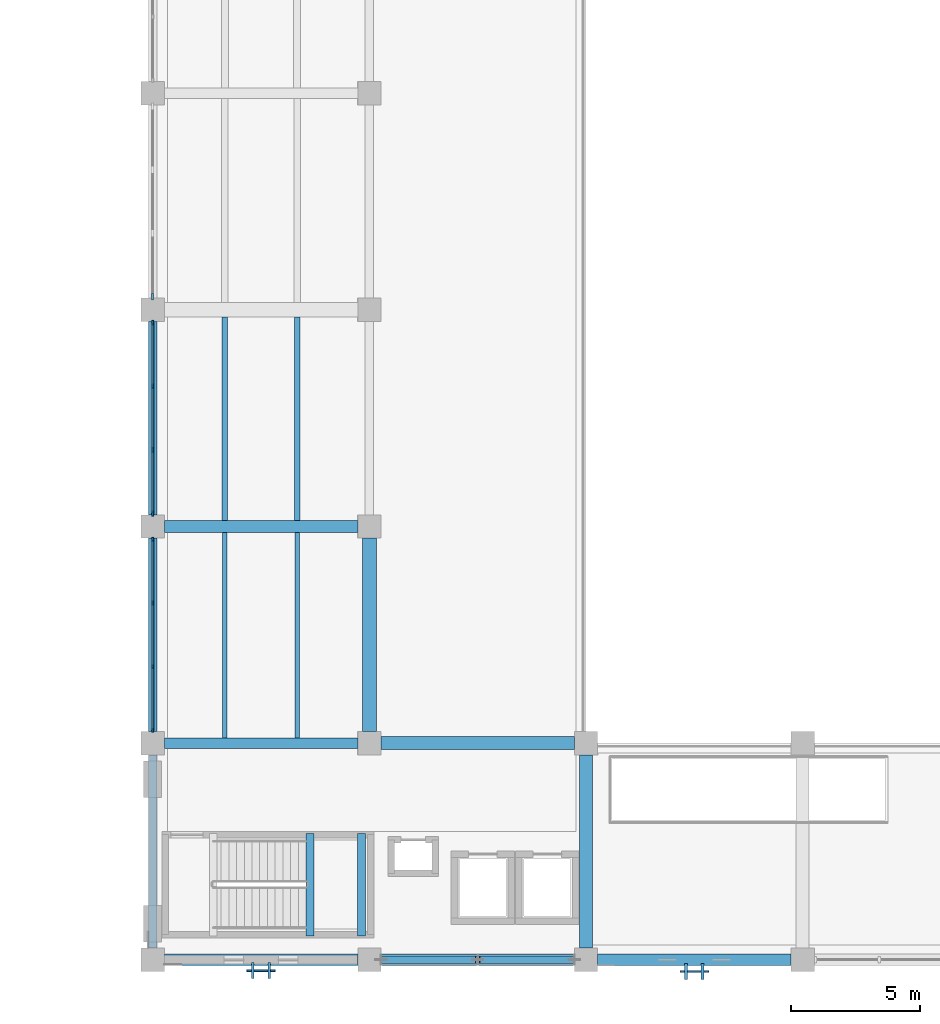
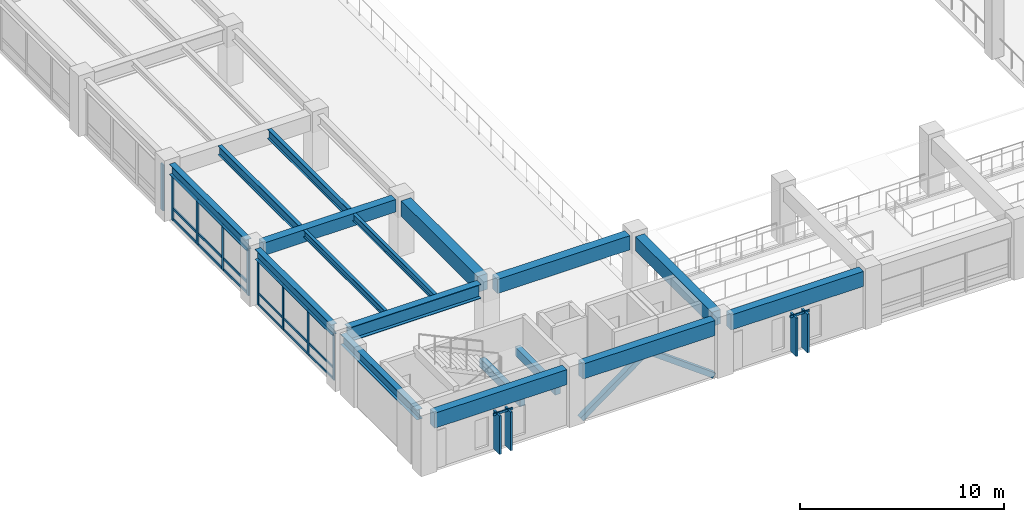
# One storey, part 13 of 118: 35 members, 17 beams, 5 elements without a shape of their own.
"""IFC4 building model written with IfcOpenShell, lengths in metres."""

from ifc_helpers import new_model, si_unit, direction, frame, origin, origin_2d, place, context, subcontext, project, spatial, rectangle, hollow_rectangle, i_section, extrude, material, material_profile, profile_set, type_object, element, aggregate, save


model = new_model("IFC4")

# Units and contexts
model_context = context("Model", 3, precision=1e-05, world=origin(), true_north=direction((0.0, 1.0)))
body_context = subcontext(model_context, "Body", "Model", "MODEL_VIEW")
ifc_project = project(units=[si_unit("LENGTHUNIT", "METRE"), si_unit("AREAUNIT", "SQUARE_METRE"), si_unit("VOLUMEUNIT", "CUBIC_METRE"), si_unit("PLANEANGLEUNIT", "RADIAN"), si_unit("MASSUNIT", "GRAM", prefix="KILO")], contexts=[model_context])

# Site, building, storey
site_placement = place(None, origin())
site = spatial("IfcSite", under=ifc_project, at=site_placement, CompositionType="ELEMENT")
building_placement = place(site_placement, origin())
building = spatial("IfcBuilding", under=site, at=building_placement, Name="Cumbredor Promenade Congress Hotel", CompositionType="ELEMENT")
storey_placement = place(building_placement, frame((0.0, 0.0, 3.919921875)))
storey = spatial("IfcBuildingStorey", under=building, at=storey_placement, Name="L01", CompositionType="ELEMENT", Elevation=3.919921875)

# Beams
ifc_material_1 = material(Name="Concrete C40/50", Category="concrete")
ifc_material_profile_1 = material_profile(ifc_material_1, rectangle(XDim=0.449951171875, YDim=0.75, at=origin_2d()), Name="RC BEAM 450x750")
ifc_profile_set_1 = profile_set([ifc_material_profile_1], Name="Concrete C40/50")
beam_type_1 = type_object("IfcBeamType", Name="BM-RC-450x750", PredefinedType="BEAM", material=ifc_profile_set_1)
beam_1_placement = place(storey_placement, frame((8.85009765625, 25.199951171875, 2.985107421875), z_axis=(1.0, 0.0, 0.0), x_axis=(0.0, 1.0, 0.0)))
element("IfcBeam", 1, at=beam_1_placement, inside=storey, type_object=beam_type_1, Name="L02 X-Grid Beam 014", PredefinedType="BEAM", context=body_context, shape_type="SweptSolid", body=[
    extrude(rectangle(XDim=0.449951171875, YDim=0.75, at=origin_2d()), origin(), (0.0, 0.0, 1.0), 7.5),
])
ifc_material_profile_2 = material_profile(ifc_material_1, rectangle(XDim=0.5, YDim=0.85009765625, at=origin_2d()), Name="RC BEAM 500x850")
ifc_profile_set_2 = profile_set([ifc_material_profile_2], Name="Concrete C40/50")
beam_type_2 = type_object("IfcBeamType", Name="BM-RC-500x850", PredefinedType="BEAM", material=ifc_profile_set_2)
for number, where, z_axis, x_axis, name in (
    (2, (17.25, 16.800048828125, 2.93505859375), (1.0, 0.0, 0.0), (0.0, 1.0, 0.0), "L02 X-Grid Beam 035"),
    (3, (25.199951171875, 8.85009765625, 2.93505859375), (0.0, 1.0, 0.0), (-1.0, 0.0, 0.0), "L02 Y-Grid Beam 051"),
):
    element("IfcBeam", number, at=place(storey_placement, frame(where, z_axis=z_axis, x_axis=x_axis)), inside=storey, type_object=beam_type_2, Name=name, PredefinedType="BEAM", context=body_context, shape_type="SweptSolid", body=[
        extrude(rectangle(XDim=0.5, YDim=0.85009765625, at=origin_2d()), origin(), (0.0, 0.0, 1.0), 7.5),
    ])
ifc_material_profile_3 = material_profile(ifc_material_1, rectangle(XDim=0.550048828125, YDim=0.949951171875, at=origin_2d()), Name="RC BEAM 550x950")
ifc_profile_set_3 = profile_set([ifc_material_profile_3], Name="Concrete C40/50")
beam_type_3 = type_object("IfcBeamType", Name="BM-RC-550x950", PredefinedType="BEAM", material=ifc_profile_set_3)
beam_2_placement = place(storey_placement, frame((16.800048828125, 17.25, 2.885009765625), z_axis=(0.0, 1.0, 0.0), x_axis=(-1.0, 0.0, 0.0)))
element("IfcBeam", 4, at=beam_2_placement, inside=storey, type_object=beam_type_3, Name="L02 Y-Grid Beam 036", PredefinedType="BEAM", context=body_context, shape_type="SweptSolid", body=[
    extrude(rectangle(XDim=0.550048828125, YDim=0.949951171875, at=origin_2d()), origin(), (0.0, 0.0, 1.0), 7.5),
])
ifc_material_2 = material(Name="Steel ASTM A992 Grade 50", Category="steel")
ifc_material_profile_4 = material_profile(ifc_material_2, i_section(OverallWidth=0.39990234375, OverallDepth=0.85498046875, WebThickness=0.018310546875, FlangeThickness=0.029296875, at=origin_2d()), Name="W33X201")
ifc_profile_set_4 = profile_set([ifc_material_profile_4], Name="Steel ASTM A992 Grade 50")
beam_type_4 = type_object("IfcBeamType", Name="BM-W33X201", PredefinedType="BEAM", material=ifc_profile_set_4)
beam_3_placement = place(storey_placement, frame((8.85009765625, 16.800048828125, 2.9326171875), z_axis=(1.0, 0.0, 0.0), x_axis=(0.0, 1.0, 0.0)))
element("IfcBeam", 5, at=beam_3_placement, inside=storey, type_object=beam_type_4, Name="L02 X-Grid Beam 012", PredefinedType="BEAM", context=body_context, shape_type="SweptSolid", body=[
    extrude(i_section(OverallWidth=0.39990234375, OverallDepth=0.85498046875, WebThickness=0.018310546875, FlangeThickness=0.029296875, at=origin_2d()), origin(), (0.0, 0.0, 1.0), 7.5),
])

# Curtain wall, members
ifc_material_3 = material(Name="Thermally broken anodized aluminium and low-E glass", Category="aluminium")
curtain_wall_type_1 = type_object("IfcCurtainWallType", Name="Unitised Bronze Curtain Wall CW-01", PredefinedType="NOTDEFINED", material=ifc_material_3)
curtain_wall_1_placement = place(storey_placement, origin())
curtain_wall_1 = element("IfcCurtainWall", 6, at=curtain_wall_1_placement, inside=storey, type_object=curtain_wall_type_1, Name="L01 Plenary Congress Hall West Curtain Wall 2", PredefinedType="NOTDEFINED")
ifc_material_4 = material(Name="Thermally broken anodized aluminium", Category="aluminium")
ifc_material_profile_5 = material_profile(ifc_material_4, rectangle(XDim=0.06494140625, YDim=0.159912109375, at=origin_2d()), Name="ALU MULLION 65x160")
ifc_profile_set_5 = profile_set([ifc_material_profile_5], Name="Thermally broken anodized aluminium")
member_type_1 = type_object("IfcMemberType", Name="Curtain Wall Mullion ML-01", PredefinedType="MULLION", material=ifc_profile_set_5)
member_1_placement = place(storey_placement, frame((8.39990234375, 17.304931640625, -0.0078125), z_axis=(0.0, 0.0, 1.0), x_axis=(1.0, 0.0, 0.0)))
member_1 = element("IfcMember", 7, at=member_1_placement, type_object=member_type_1, Name="L01 Plenary Congress Hall West Curtain Wall 2 Mullion 1", PredefinedType="MULLION", context=body_context, shape_type="SweptSolid", body=[
    extrude(rectangle(XDim=0.06494140625, YDim=0.159912109375, at=origin_2d()), origin(), (0.0, 0.0, 1.0), 2.75),
])
member_2_placement = place(storey_placement, frame((8.39990234375, 19.768310546875, -0.0078125), z_axis=(0.0, 0.0, 1.0), x_axis=(1.0, 0.0, 0.0)))
member_2 = element("IfcMember", 8, at=member_2_placement, type_object=member_type_1, Name="L01 Plenary Congress Hall West Curtain Wall 2 Mullion 2", PredefinedType="MULLION", context=body_context, shape_type="SweptSolid", body=[
    extrude(rectangle(XDim=0.06494140625, YDim=0.159912109375, at=origin_2d()), origin(), (0.0, 0.0, 1.0), 2.75),
])
member_3_placement = place(storey_placement, frame((8.39990234375, 22.231689453125, -0.0078125), z_axis=(0.0, 0.0, 1.0), x_axis=(1.0, 0.0, 0.0)))
member_3 = element("IfcMember", 9, at=member_3_placement, type_object=member_type_1, Name="L01 Plenary Congress Hall West Curtain Wall 2 Mullion 3", PredefinedType="MULLION", context=body_context, shape_type="SweptSolid", body=[
    extrude(rectangle(XDim=0.06494140625, YDim=0.159912109375, at=origin_2d()), origin(), (0.0, 0.0, 1.0), 2.75),
])
member_4_placement = place(storey_placement, frame((8.39990234375, 24.695068359375, -0.0078125), z_axis=(0.0, 0.0, 1.0), x_axis=(1.0, 0.0, 0.0)))
member_4 = element("IfcMember", 10, at=member_4_placement, type_object=member_type_1, Name="L01 Plenary Congress Hall West Curtain Wall 2 Mullion 4", PredefinedType="MULLION", context=body_context, shape_type="SweptSolid", body=[
    extrude(rectangle(XDim=0.06494140625, YDim=0.159912109375, at=origin_2d()), origin(), (0.0, 0.0, 1.0), 2.75),
])

curtain_wall_2_placement = place(storey_placement, origin())
curtain_wall_2 = element("IfcCurtainWall", 11, at=curtain_wall_2_placement, inside=storey, type_object=curtain_wall_type_1, Name="L01 Plenary Congress Hall West Curtain Wall 3", PredefinedType="NOTDEFINED")
ifc_material_profile_6 = material_profile(ifc_material_4, rectangle(XDim=0.074951171875, YDim=0.199951171875, at=origin_2d()), Name="ALU MULLION 75x200")
ifc_profile_set_6 = profile_set([ifc_material_profile_6], Name="Thermally broken anodized aluminium")
member_type_2 = type_object("IfcMemberType", Name="Curtain Wall Mullion ML-02", PredefinedType="MULLION", material=ifc_profile_set_6)
member_5_placement = place(storey_placement, frame((8.39990234375, 25.705078125, -0.0078125), z_axis=(0.0, 0.0, 1.0), x_axis=(1.0, 0.0, 0.0)))
member_5 = element("IfcMember", 12, at=member_5_placement, type_object=member_type_2, Name="L01 Plenary Congress Hall West Curtain Wall 3 Mullion 1", PredefinedType="MULLION", context=body_context, shape_type="SweptSolid", body=[
    extrude(rectangle(XDim=0.074951171875, YDim=0.199951171875, at=origin_2d()), origin(), (0.0, 0.0, 1.0), 2.75),
])
member_6_placement = place(storey_placement, frame((8.39990234375, 28.168212890625, -0.0078125), z_axis=(0.0, 0.0, 1.0), x_axis=(1.0, 0.0, 0.0)))
member_6 = element("IfcMember", 13, at=member_6_placement, type_object=member_type_2, Name="L01 Plenary Congress Hall West Curtain Wall 3 Mullion 2", PredefinedType="MULLION", context=body_context, shape_type="SweptSolid", body=[
    extrude(rectangle(XDim=0.074951171875, YDim=0.199951171875, at=origin_2d()), origin(), (0.0, 0.0, 1.0), 2.75),
])
member_7_placement = place(storey_placement, frame((8.39990234375, 30.631591796875, -0.0078125), z_axis=(0.0, 0.0, 1.0), x_axis=(1.0, 0.0, 0.0)))
member_7 = element("IfcMember", 14, at=member_7_placement, type_object=member_type_2, Name="L01 Plenary Congress Hall West Curtain Wall 3 Mullion 3", PredefinedType="MULLION", context=body_context, shape_type="SweptSolid", body=[
    extrude(rectangle(XDim=0.074951171875, YDim=0.199951171875, at=origin_2d()), origin(), (0.0, 0.0, 1.0), 2.75),
])
member_8_placement = place(storey_placement, frame((8.39990234375, 33.094970703125, -0.0078125), z_axis=(0.0, 0.0, 1.0), x_axis=(1.0, 0.0, 0.0)))
member_8 = element("IfcMember", 15, at=member_8_placement, type_object=member_type_2, Name="L01 Plenary Congress Hall West Curtain Wall 3 Mullion 4", PredefinedType="MULLION", context=body_context, shape_type="SweptSolid", body=[
    extrude(rectangle(XDim=0.074951171875, YDim=0.199951171875, at=origin_2d()), origin(), (0.0, 0.0, 1.0), 2.75),
])

# Curtain wall, member
curtain_wall_3_placement = place(storey_placement, origin())
curtain_wall_3 = element("IfcCurtainWall", 16, at=curtain_wall_3_placement, inside=storey, type_object=curtain_wall_type_1, Name="L01 Plenary Congress Hall West Curtain Wall 4", PredefinedType="NOTDEFINED")
ifc_material_profile_7 = material_profile(ifc_material_4, rectangle(XDim=0.080078125, YDim=0.239990234375, at=origin_2d()), Name="ALU MULLION 80x240")
ifc_profile_set_7 = profile_set([ifc_material_profile_7], Name="Thermally broken anodized aluminium")
member_type_3 = type_object("IfcMemberType", Name="Curtain Wall Mullion ML-03", PredefinedType="MULLION", material=ifc_profile_set_7)
member_9_placement = place(storey_placement, frame((8.39990234375, 34.10498046875, -0.0078125), z_axis=(0.0, 0.0, 1.0), x_axis=(1.0, 0.0, 0.0)))
member_9 = element("IfcMember", 17, at=member_9_placement, type_object=member_type_3, Name="L01 Plenary Congress Hall West Curtain Wall 4 Mullion 1", PredefinedType="MULLION", context=body_context, shape_type="SweptSolid", body=[
    extrude(rectangle(XDim=0.080078125, YDim=0.239990234375, at=origin_2d()), origin(), (0.0, 0.0, 1.0), 2.75),
])
aggregate(curtain_wall_3, [member_9])

curtain_wall_type_2 = type_object("IfcCurtainWallType", Name="Solar Brise-Soleil Screen Assembly CW-07", PredefinedType="NOTDEFINED", material=ifc_material_3)
curtain_wall_4_placement = place(storey_placement, origin())
curtain_wall_4 = element("IfcCurtainWall", 18, at=curtain_wall_4_placement, inside=storey, type_object=curtain_wall_type_2, Name="L01 Pier Brise-Soleil Screen 0142", PredefinedType="NOTDEFINED")
ifc_material_profile_8 = material_profile(ifc_material_4, rectangle(XDim=0.06494140625, YDim=0.1298828125, at=origin_2d()), Name="ALU TRANSOM 65x130")
ifc_profile_set_8 = profile_set([ifc_material_profile_8], Name="Thermally broken anodized aluminium")
member_type_4 = type_object("IfcMemberType", Name="Curtain Wall Transom TR-01", PredefinedType="USERDEFINED", material=ifc_profile_set_8)
member_10_placement = place(storey_placement, frame((12.050048828125, 7.9775390625, 2.28515625), z_axis=(1.0, 0.0, 0.0), x_axis=(0.0, 1.0, 0.0)))
member_10 = element("IfcMember", 19, at=member_10_placement, type_object=member_type_4, Name="L01 Pier Brise-Soleil Header 0144", ObjectType="TRANSOM", PredefinedType="USERDEFINED", context=body_context, shape_type="SweptSolid", body=[
    extrude(rectangle(XDim=0.06494140625, YDim=0.1298828125, at=origin_2d()), origin(), (0.0, 0.0, 1.0), 1.099853515625),
])

curtain_wall_5_placement = place(storey_placement, origin())
curtain_wall_5 = element("IfcCurtainWall", 20, at=curtain_wall_5_placement, inside=storey, type_object=curtain_wall_type_2, Name="L01 Pier Brise-Soleil Screen 0145", PredefinedType="NOTDEFINED")
member_11_placement = place(storey_placement, frame((28.85009765625, 7.949951171875, 2.28515625), z_axis=(1.0, 0.0, 0.0), x_axis=(0.0, 1.0, 0.0)))
member_11 = element("IfcMember", 21, at=member_11_placement, type_object=member_type_4, Name="L01 Pier Brise-Soleil Header 0147", ObjectType="TRANSOM", PredefinedType="USERDEFINED", context=body_context, shape_type="SweptSolid", body=[
    extrude(rectangle(XDim=0.06494140625, YDim=0.1298828125, at=origin_2d()), origin(), (0.0, 0.0, 1.0), 1.099853515625),
])

# Member
member_12_placement = place(storey_placement, frame((8.39990234375, 17.33740234375, 0.06005859375), z_axis=(0.0, 1.0, 0.0), x_axis=(-1.0, 0.0, 0.0)))
member_12 = element("IfcMember", 22, at=member_12_placement, type_object=member_type_4, Name="L01 Plenary Congress Hall West Curtain Wall 2 Transom 1.1", ObjectType="TRANSOM", PredefinedType="USERDEFINED", context=body_context, shape_type="SweptSolid", body=[
    extrude(rectangle(XDim=0.06494140625, YDim=0.1298828125, at=origin_2d()), origin(), (0.0, 0.0, 1.0), 2.3984375),
])

member_13_placement = place(storey_placement, frame((8.39990234375, 17.33740234375, 0.719970703125), z_axis=(0.0, 1.0, 0.0), x_axis=(-1.0, 0.0, 0.0)))
member_13 = element("IfcMember", 23, at=member_13_placement, type_object=member_type_4, Name="L01 Plenary Congress Hall West Curtain Wall 2 Transom 1.2", ObjectType="TRANSOM", PredefinedType="USERDEFINED", context=body_context, shape_type="SweptSolid", body=[
    extrude(rectangle(XDim=0.06494140625, YDim=0.1298828125, at=origin_2d()), origin(), (0.0, 0.0, 1.0), 2.3984375),
])

member_14_placement = place(storey_placement, frame((8.39990234375, 17.33740234375, 2.670166015625), z_axis=(0.0, 1.0, 0.0), x_axis=(-1.0, 0.0, 0.0)))
member_14 = element("IfcMember", 24, at=member_14_placement, type_object=member_type_4, Name="L01 Plenary Congress Hall West Curtain Wall 2 Transom 1.3", ObjectType="TRANSOM", PredefinedType="USERDEFINED", context=body_context, shape_type="SweptSolid", body=[
    extrude(rectangle(XDim=0.06494140625, YDim=0.1298828125, at=origin_2d()), origin(), (0.0, 0.0, 1.0), 2.3984375),
])

member_15_placement = place(storey_placement, frame((8.39990234375, 19.80078125, 0.06005859375), z_axis=(0.0, 1.0, 0.0), x_axis=(-1.0, 0.0, 0.0)))
member_15 = element("IfcMember", 25, at=member_15_placement, type_object=member_type_4, Name="L01 Plenary Congress Hall West Curtain Wall 2 Transom 2.1", ObjectType="TRANSOM", PredefinedType="USERDEFINED", context=body_context, shape_type="SweptSolid", body=[
    extrude(rectangle(XDim=0.06494140625, YDim=0.1298828125, at=origin_2d()), origin(), (0.0, 0.0, 1.0), 2.3984375),
])

member_16_placement = place(storey_placement, frame((8.39990234375, 19.80078125, 0.719970703125), z_axis=(0.0, 1.0, 0.0), x_axis=(-1.0, 0.0, 0.0)))
member_16 = element("IfcMember", 26, at=member_16_placement, type_object=member_type_4, Name="L01 Plenary Congress Hall West Curtain Wall 2 Transom 2.2", ObjectType="TRANSOM", PredefinedType="USERDEFINED", context=body_context, shape_type="SweptSolid", body=[
    extrude(rectangle(XDim=0.06494140625, YDim=0.1298828125, at=origin_2d()), origin(), (0.0, 0.0, 1.0), 2.3984375),
])

member_17_placement = place(storey_placement, frame((8.39990234375, 19.80078125, 2.670166015625), z_axis=(0.0, 1.0, 0.0), x_axis=(-1.0, 0.0, 0.0)))
member_17 = element("IfcMember", 27, at=member_17_placement, type_object=member_type_4, Name="L01 Plenary Congress Hall West Curtain Wall 2 Transom 2.3", ObjectType="TRANSOM", PredefinedType="USERDEFINED", context=body_context, shape_type="SweptSolid", body=[
    extrude(rectangle(XDim=0.06494140625, YDim=0.1298828125, at=origin_2d()), origin(), (0.0, 0.0, 1.0), 2.3984375),
])

member_18_placement = place(storey_placement, frame((8.39990234375, 22.26416015625, 0.06005859375), z_axis=(0.0, 1.0, 0.0), x_axis=(-1.0, 0.0, 0.0)))
member_18 = element("IfcMember", 28, at=member_18_placement, type_object=member_type_4, Name="L01 Plenary Congress Hall West Curtain Wall 2 Transom 3.1", ObjectType="TRANSOM", PredefinedType="USERDEFINED", context=body_context, shape_type="SweptSolid", body=[
    extrude(rectangle(XDim=0.06494140625, YDim=0.1298828125, at=origin_2d()), origin(), (0.0, 0.0, 1.0), 2.3984375),
])

member_19_placement = place(storey_placement, frame((8.39990234375, 22.26416015625, 0.719970703125), z_axis=(0.0, 1.0, 0.0), x_axis=(-1.0, 0.0, 0.0)))
member_19 = element("IfcMember", 29, at=member_19_placement, type_object=member_type_4, Name="L01 Plenary Congress Hall West Curtain Wall 2 Transom 3.2", ObjectType="TRANSOM", PredefinedType="USERDEFINED", context=body_context, shape_type="SweptSolid", body=[
    extrude(rectangle(XDim=0.06494140625, YDim=0.1298828125, at=origin_2d()), origin(), (0.0, 0.0, 1.0), 2.3984375),
])

member_20_placement = place(storey_placement, frame((8.39990234375, 22.26416015625, 2.670166015625), z_axis=(0.0, 1.0, 0.0), x_axis=(-1.0, 0.0, 0.0)))
member_20 = element("IfcMember", 30, at=member_20_placement, type_object=member_type_4, Name="L01 Plenary Congress Hall West Curtain Wall 2 Transom 3.3", ObjectType="TRANSOM", PredefinedType="USERDEFINED", context=body_context, shape_type="SweptSolid", body=[
    extrude(rectangle(XDim=0.06494140625, YDim=0.1298828125, at=origin_2d()), origin(), (0.0, 0.0, 1.0), 2.3984375),
])

aggregate(curtain_wall_1, [member_1, member_2, member_3, member_4, member_12, member_13, member_14, member_15, member_16, member_17, member_18, member_19, member_20])

ifc_material_profile_9 = material_profile(ifc_material_4, rectangle(XDim=0.074951171875, YDim=0.14990234375, at=origin_2d()), Name="ALU TRANSOM 75x150")
ifc_profile_set_9 = profile_set([ifc_material_profile_9], Name="Thermally broken anodized aluminium")
member_type_5 = type_object("IfcMemberType", Name="Curtain Wall Transom TR-02", PredefinedType="USERDEFINED", material=ifc_profile_set_9)
member_21_placement = place(storey_placement, frame((8.39990234375, 25.742431640625, 0.080078125), z_axis=(0.0, 1.0, 0.0), x_axis=(-1.0, 0.0, 0.0)))
member_21 = element("IfcMember", 31, at=member_21_placement, type_object=member_type_5, Name="L01 Plenary Congress Hall West Curtain Wall 3 Transom 1.1", ObjectType="TRANSOM", PredefinedType="USERDEFINED", context=body_context, shape_type="SweptSolid", body=[
    extrude(rectangle(XDim=0.074951171875, YDim=0.14990234375, at=origin_2d()), origin(), (0.0, 0.0, 1.0), 2.388427734375),
])

member_22_placement = place(storey_placement, frame((8.39990234375, 25.742431640625, 0.719970703125), z_axis=(0.0, 1.0, 0.0), x_axis=(-1.0, 0.0, 0.0)))
member_22 = element("IfcMember", 32, at=member_22_placement, type_object=member_type_5, Name="L01 Plenary Congress Hall West Curtain Wall 3 Transom 1.2", ObjectType="TRANSOM", PredefinedType="USERDEFINED", context=body_context, shape_type="SweptSolid", body=[
    extrude(rectangle(XDim=0.074951171875, YDim=0.14990234375, at=origin_2d()), origin(), (0.0, 0.0, 1.0), 2.388427734375),
])

member_23_placement = place(storey_placement, frame((8.39990234375, 25.742431640625, 2.66015625), z_axis=(0.0, 1.0, 0.0), x_axis=(-1.0, 0.0, 0.0)))
member_23 = element("IfcMember", 33, at=member_23_placement, type_object=member_type_5, Name="L01 Plenary Congress Hall West Curtain Wall 3 Transom 1.3", ObjectType="TRANSOM", PredefinedType="USERDEFINED", context=body_context, shape_type="SweptSolid", body=[
    extrude(rectangle(XDim=0.074951171875, YDim=0.14990234375, at=origin_2d()), origin(), (0.0, 0.0, 1.0), 2.388427734375),
])

member_24_placement = place(storey_placement, frame((8.39990234375, 28.205810546875, 0.080078125), z_axis=(0.0, 1.0, 0.0), x_axis=(-1.0, 0.0, 0.0)))
member_24 = element("IfcMember", 34, at=member_24_placement, type_object=member_type_5, Name="L01 Plenary Congress Hall West Curtain Wall 3 Transom 2.1", ObjectType="TRANSOM", PredefinedType="USERDEFINED", context=body_context, shape_type="SweptSolid", body=[
    extrude(rectangle(XDim=0.074951171875, YDim=0.14990234375, at=origin_2d()), origin(), (0.0, 0.0, 1.0), 2.388427734375),
])

member_25_placement = place(storey_placement, frame((8.39990234375, 28.205810546875, 0.719970703125), z_axis=(0.0, 1.0, 0.0), x_axis=(-1.0, 0.0, 0.0)))
member_25 = element("IfcMember", 35, at=member_25_placement, type_object=member_type_5, Name="L01 Plenary Congress Hall West Curtain Wall 3 Transom 2.2", ObjectType="TRANSOM", PredefinedType="USERDEFINED", context=body_context, shape_type="SweptSolid", body=[
    extrude(rectangle(XDim=0.074951171875, YDim=0.14990234375, at=origin_2d()), origin(), (0.0, 0.0, 1.0), 2.388427734375),
])

member_26_placement = place(storey_placement, frame((8.39990234375, 28.205810546875, 2.66015625), z_axis=(0.0, 1.0, 0.0), x_axis=(-1.0, 0.0, 0.0)))
member_26 = element("IfcMember", 36, at=member_26_placement, type_object=member_type_5, Name="L01 Plenary Congress Hall West Curtain Wall 3 Transom 2.3", ObjectType="TRANSOM", PredefinedType="USERDEFINED", context=body_context, shape_type="SweptSolid", body=[
    extrude(rectangle(XDim=0.074951171875, YDim=0.14990234375, at=origin_2d()), origin(), (0.0, 0.0, 1.0), 2.388427734375),
])

member_27_placement = place(storey_placement, frame((8.39990234375, 30.669189453125, 0.080078125), z_axis=(0.0, 1.0, 0.0), x_axis=(-1.0, 0.0, 0.0)))
member_27 = element("IfcMember", 37, at=member_27_placement, type_object=member_type_5, Name="L01 Plenary Congress Hall West Curtain Wall 3 Transom 3.1", ObjectType="TRANSOM", PredefinedType="USERDEFINED", context=body_context, shape_type="SweptSolid", body=[
    extrude(rectangle(XDim=0.074951171875, YDim=0.14990234375, at=origin_2d()), origin(), (0.0, 0.0, 1.0), 2.388427734375),
])

member_28_placement = place(storey_placement, frame((8.39990234375, 30.669189453125, 0.719970703125), z_axis=(0.0, 1.0, 0.0), x_axis=(-1.0, 0.0, 0.0)))
member_28 = element("IfcMember", 38, at=member_28_placement, type_object=member_type_5, Name="L01 Plenary Congress Hall West Curtain Wall 3 Transom 3.2", ObjectType="TRANSOM", PredefinedType="USERDEFINED", context=body_context, shape_type="SweptSolid", body=[
    extrude(rectangle(XDim=0.074951171875, YDim=0.14990234375, at=origin_2d()), origin(), (0.0, 0.0, 1.0), 2.388427734375),
])

member_29_placement = place(storey_placement, frame((8.39990234375, 30.669189453125, 2.66015625), z_axis=(0.0, 1.0, 0.0), x_axis=(-1.0, 0.0, 0.0)))
member_29 = element("IfcMember", 39, at=member_29_placement, type_object=member_type_5, Name="L01 Plenary Congress Hall West Curtain Wall 3 Transom 3.3", ObjectType="TRANSOM", PredefinedType="USERDEFINED", context=body_context, shape_type="SweptSolid", body=[
    extrude(rectangle(XDim=0.074951171875, YDim=0.14990234375, at=origin_2d()), origin(), (0.0, 0.0, 1.0), 2.388427734375),
])

aggregate(curtain_wall_2, [member_5, member_6, member_7, member_8, member_21, member_22, member_23, member_24, member_25, member_26, member_27, member_28, member_29])

# Beams
ifc_material_profile_10 = material_profile(ifc_material_2, i_section(OverallWidth=0.180908203125, OverallDepth=0.4169921875, WebThickness=0.010986328125, FlangeThickness=0.018310546875, at=origin_2d()), Name="W16X57")
ifc_profile_set_10 = profile_set([ifc_material_profile_10], Name="Steel ASTM A992 Grade 50")
beam_type_5 = type_object("IfcBeamType", Name="JST-W16X57", PredefinedType="JOIST", material=ifc_profile_set_10)
for number, where, z_axis, x_axis, name in (
    (40, (11.199951171875, 17.0, 3.151611328125), (0.0, 1.0, 0.0), (-1.0, 0.0, 0.0), "L02 Secondary Floor Joist 0009"),
    (41, (14.0, 17.0, 3.151611328125), (0.0, 1.0, 0.0), (-1.0, 0.0, 0.0), "L02 Secondary Floor Joist 0010"),
):
    element("IfcBeam", number, at=place(storey_placement, frame(where, z_axis=z_axis, x_axis=x_axis)), inside=storey, type_object=beam_type_5, Name=name, PredefinedType="JOIST", context=body_context, shape_type="SweptSolid", body=[
        extrude(i_section(OverallWidth=0.180908203125, OverallDepth=0.4169921875, WebThickness=0.010986328125, FlangeThickness=0.018310546875, at=origin_2d()), origin(), (0.0, 0.0, 1.0), 7.97509765625),
    ])
ifc_material_profile_11 = material_profile(ifc_material_2, i_section(OverallWidth=0.214111328125, OverallDepth=0.549072265625, WebThickness=0.0146484375, FlangeThickness=0.023681640625, at=origin_2d()), Name="W21X93")
ifc_profile_set_11 = profile_set([ifc_material_profile_11], Name="Steel ASTM A992 Grade 50")
beam_type_6 = type_object("IfcBeamType", Name="JST-W21X93", PredefinedType="JOIST", material=ifc_profile_set_11)
for number, where, z_axis, x_axis, name in (
    (42, (11.199951171875, 25.425048828125, 3.085693359375), (0.0, 1.0, 0.0), (-1.0, 0.0, 0.0), "L02 Secondary Floor Joist 0011"),
    (43, (14.0, 25.425048828125, 3.085693359375), (0.0, 1.0, 0.0), (-1.0, 0.0, 0.0), "L02 Secondary Floor Joist 0012"),
):
    element("IfcBeam", number, at=place(storey_placement, frame(where, z_axis=z_axis, x_axis=x_axis)), inside=storey, type_object=beam_type_6, Name=name, PredefinedType="JOIST", context=body_context, shape_type="SweptSolid", body=[
        extrude(i_section(OverallWidth=0.214111328125, OverallDepth=0.549072265625, WebThickness=0.0146484375, FlangeThickness=0.023681640625, at=origin_2d()), origin(), (0.0, 0.0, 1.0), 7.89990234375),
    ])
ifc_material_profile_12 = material_profile(ifc_material_1, rectangle(XDim=0.300048828125, YDim=0.5, at=origin_2d()), Name="RC LINTEL 300x500")
ifc_profile_set_12 = profile_set([ifc_material_profile_12], Name="Concrete C40/50")
beam_type_7 = type_object("IfcBeamType", Name="LN-RC-300x500", PredefinedType="LINTEL", material=ifc_profile_set_12)
for number, where, z_axis, x_axis, name in (
    (44, (16.5, 9.330078125, 1.3701171875), (0.0, 1.0, 0.0), (-1.0, 0.0, 0.0), "L01 Stair ST-04 Landing Ledger Beam E"),
    (45, (14.5, 9.330078125, 1.3701171875), (0.0, 1.0, 0.0), (-1.0, 0.0, 0.0), "L01 Stair ST-04 Landing Ledger Beam W"),
):
    element("IfcBeam", number, at=place(storey_placement, frame(where, z_axis=z_axis, x_axis=x_axis)), inside=storey, type_object=beam_type_7, Name=name, PredefinedType="LINTEL", context=body_context, shape_type="SweptSolid", body=[
        extrude(rectangle(XDim=0.300048828125, YDim=0.5, at=origin_2d()), origin(), (0.0, 0.0, 1.0), 3.969970703125),
    ])
ifc_material_profile_13 = material_profile(ifc_material_1, rectangle(XDim=0.449951171875, YDim=0.89990234375, at=origin_2d()), Name="RC SPANDREL 450x900")
ifc_profile_set_13 = profile_set([ifc_material_profile_13], Name="Concrete C40/50")
beam_type_8 = type_object("IfcBeamType", Name="SP-RC-450x900", PredefinedType="SPANDREL", material=ifc_profile_set_13)
for number, where, z_axis, x_axis, name in (
    (46, (8.85009765625, 8.39990234375, 2.91015625), (1.0, 0.0, 0.0), (0.0, 1.0, 0.0), "L02 X-Grid Beam 010"),
    (47, (17.25, 8.39990234375, 2.91015625), (1.0, 0.0, 0.0), (0.0, 1.0, 0.0), "L02 X-Grid Beam 034"),
    (48, (25.64990234375, 8.39990234375, 2.91015625), (1.0, 0.0, 0.0), (0.0, 1.0, 0.0), "L02 X-Grid Beam 050"),
):
    element("IfcBeam", number, at=place(storey_placement, frame(where, z_axis=z_axis, x_axis=x_axis)), inside=storey, type_object=beam_type_8, Name=name, PredefinedType="SPANDREL", context=body_context, shape_type="SweptSolid", body=[
        extrude(rectangle(XDim=0.449951171875, YDim=0.89990234375, at=origin_2d()), origin(), (0.0, 0.0, 1.0), 7.5),
    ])
ifc_material_profile_14 = material_profile(ifc_material_2, i_section(OverallWidth=0.323974609375, OverallDepth=0.611083984375, WebThickness=0.0126953125, FlangeThickness=0.01904296875, at=origin_2d()), Name="W24X104")
ifc_profile_set_14 = profile_set([ifc_material_profile_14], Name="Steel ASTM A992 Grade 50")
beam_type_9 = type_object("IfcBeamType", Name="SP-W24X104", PredefinedType="SPANDREL", material=ifc_profile_set_14)
for number, where, z_axis, x_axis, name in (
    (49, (8.39990234375, 8.85009765625, 3.0546875), (0.0, 1.0, 0.0), (-1.0, 0.0, 0.0), "L02 Y-Grid Beam 011"),
    (50, (8.39990234375, 17.25, 3.0546875), (0.0, 1.0, 0.0), (-1.0, 0.0, 0.0), "L02 Y-Grid Beam 013"),
    (51, (8.39990234375, 25.64990234375, 3.0546875), (0.0, 1.0, 0.0), (-1.0, 0.0, 0.0), "L02 Y-Grid Beam 015"),
):
    element("IfcBeam", number, at=place(storey_placement, frame(where, z_axis=z_axis, x_axis=x_axis)), inside=storey, type_object=beam_type_9, Name=name, PredefinedType="SPANDREL", context=body_context, shape_type="SweptSolid", body=[
        extrude(i_section(OverallWidth=0.323974609375, OverallDepth=0.611083984375, WebThickness=0.0126953125, FlangeThickness=0.01904296875, at=origin_2d()), origin(), (0.0, 0.0, 1.0), 7.5),
    ])

# Members
ifc_material_5 = material(Name="Steel ASTM A500 Grade C", Category="steel")
ifc_material_profile_15 = material_profile(ifc_material_5, hollow_rectangle(XDim=0.300048828125, YDim=0.300048828125, WallThickness=0.01611328125, at=origin_2d()), Name="HSS 300x300x16")
ifc_profile_set_15 = profile_set([ifc_material_profile_15], Name="Steel ASTM A500 Grade C")
member_type_6 = type_object("IfcMemberType", Name="Seismic Frame Brace CBF-1", PredefinedType="BRACE", material=ifc_profile_set_15)
for number, where, z_axis, x_axis, name in (
    (52, (17.25, 8.39990234375, 0.0), (0.806404995856, 0.0, 0.591363663628), (0.0, 1.0, 0.0), "L01 Chevron Seismic Brace 13A"),
    (53, (24.75, 8.39990234375, 0.0), (-0.806404995856, 0.0, 0.591363663628), (0.0, -1.0, 0.0), "L01 Chevron Seismic Brace 13B"),
):
    element("IfcMember", number, at=place(storey_placement, frame(where, z_axis=z_axis, x_axis=x_axis)), inside=storey, type_object=member_type_6, Name=name, PredefinedType="BRACE", context=body_context, shape_type="SweptSolid", body=[
        extrude(hollow_rectangle(XDim=0.300048828125, YDim=0.300048828125, WallThickness=0.01611328125, at=origin_2d()), origin(), (0.0, 0.0, 1.0), 4.650390625),
    ])

# Member
ifc_material_profile_16 = material_profile(ifc_material_4, rectangle(XDim=0.110107421875, YDim=0.6201171875, at=origin_2d()), Name="ARCH FIN 110x620")
ifc_profile_set_16 = profile_set([ifc_material_profile_16], Name="Thermally broken anodized aluminium")
member_type_7 = type_object("IfcMemberType", Name="Vertical Bronze Brise-Soleil Fin BSF-02 110x620", PredefinedType="USERDEFINED", material=ifc_profile_set_16)
member_30_placement = place(storey_placement, frame((12.280029296875, 7.9775390625, 0.02001953125), z_axis=(0.0, 0.0, 1.0), x_axis=(1.0, 0.0, 0.0)))
member_30 = element("IfcMember", 54, at=member_30_placement, type_object=member_type_7, Name="L01 Pier Brise-Soleil Fin 0143", ObjectType="SOLAR FIN", PredefinedType="USERDEFINED", context=body_context, shape_type="SweptSolid", body=[
    extrude(rectangle(XDim=0.110107421875, YDim=0.6201171875, at=origin_2d()), origin(), (0.0, 0.0, 1.0), 2.30517578125),
])

member_31_placement = place(storey_placement, frame((12.919921875, 7.9775390625, 0.02001953125), z_axis=(0.0, 0.0, 1.0), x_axis=(1.0, 0.0, 0.0)))
member_31 = element("IfcMember", 55, at=member_31_placement, type_object=member_type_7, Name="L01 Pier Brise-Soleil Fin 0144", ObjectType="SOLAR FIN", PredefinedType="USERDEFINED", context=body_context, shape_type="SweptSolid", body=[
    extrude(rectangle(XDim=0.110107421875, YDim=0.6201171875, at=origin_2d()), origin(), (0.0, 0.0, 1.0), 2.30517578125),
])

aggregate(curtain_wall_4, [member_30, member_31, member_10])

member_32_placement = place(storey_placement, frame((29.080078125, 7.949951171875, 0.02001953125), z_axis=(0.0, 0.0, 1.0), x_axis=(1.0, 0.0, 0.0)))
member_32 = element("IfcMember", 56, at=member_32_placement, type_object=member_type_7, Name="L01 Pier Brise-Soleil Fin 0146", ObjectType="SOLAR FIN", PredefinedType="USERDEFINED", context=body_context, shape_type="SweptSolid", body=[
    extrude(rectangle(XDim=0.110107421875, YDim=0.6201171875, at=origin_2d()), origin(), (0.0, 0.0, 1.0), 2.30517578125),
])

member_33_placement = place(storey_placement, frame((29.719970703125, 7.949951171875, 0.02001953125), z_axis=(0.0, 0.0, 1.0), x_axis=(1.0, 0.0, 0.0)))
member_33 = element("IfcMember", 57, at=member_33_placement, type_object=member_type_7, Name="L01 Pier Brise-Soleil Fin 0147", ObjectType="SOLAR FIN", PredefinedType="USERDEFINED", context=body_context, shape_type="SweptSolid", body=[
    extrude(rectangle(XDim=0.110107421875, YDim=0.6201171875, at=origin_2d()), origin(), (0.0, 0.0, 1.0), 2.30517578125),
])

aggregate(curtain_wall_5, [member_32, member_33, member_11])

save(model, "model.ifc")
